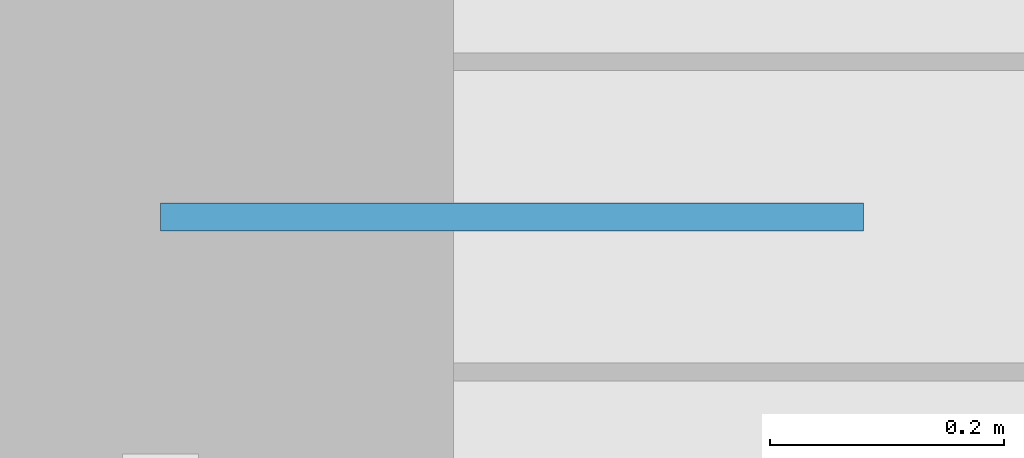
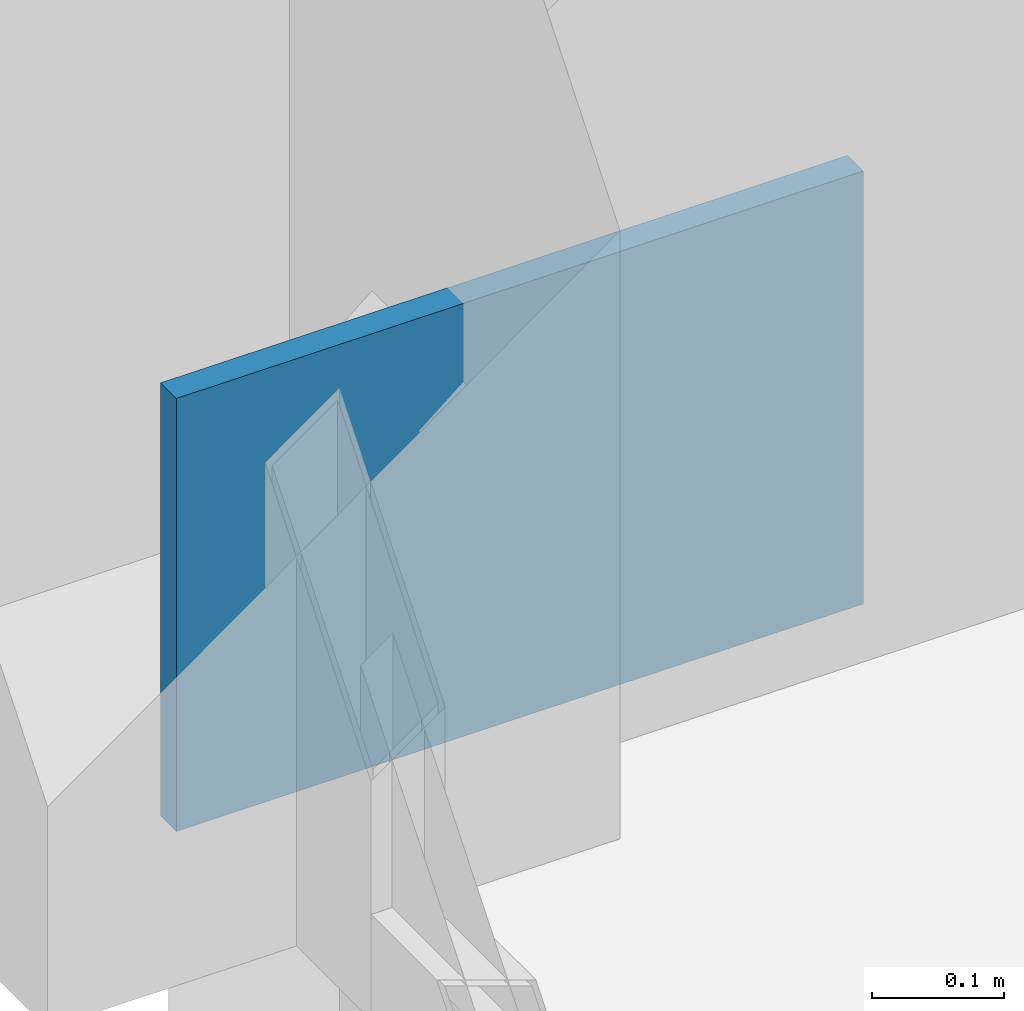
# One storey, part 153 of 188: 1 plate.
"""IFC4 building model written with IfcOpenShell, lengths in metres."""

from ifc_helpers import new_model, si_unit, direction, frame, origin, origin_2d, place, context, subcontext, project, spatial, rectangle, extrude, material, layer, layer_set, type_object, element, save


model = new_model("IFC4")

# Units and contexts
model_context = context("Model", 3, precision=1e-05, world=origin(), true_north=direction((0.0, 1.0)))
body_context = subcontext(model_context, "Body", "Model", "MODEL_VIEW")
ifc_project = project(units=[si_unit("LENGTHUNIT", "METRE"), si_unit("AREAUNIT", "SQUARE_METRE"), si_unit("VOLUMEUNIT", "CUBIC_METRE"), si_unit("PLANEANGLEUNIT", "RADIAN"), si_unit("MASSUNIT", "GRAM", prefix="KILO")], contexts=[model_context])

# Site, building, storey
site_placement = place(None, origin())
site = spatial("IfcSite", under=ifc_project, at=site_placement, CompositionType="ELEMENT")
building_placement = place(site_placement, origin())
building = spatial("IfcBuilding", under=site, at=building_placement, Name="Pandanus Reach Market Hall", CompositionType="ELEMENT")
storey_placement = place(building_placement, origin())
storey = spatial("IfcBuildingStorey", under=building, at=storey_placement, Name="L00", CompositionType="ELEMENT", Elevation=0.0)

# Plate
ifc_material = material(Name="Steel Grade 350 (350 MPa)", Category="steel")
ifc_layer = layer(ifc_material, 0.02392578125, Name="GS-PL24")
ifc_layer_set = layer_set([ifc_layer], Name="Steel Grade 350 (350 MPa)")
plate_type = type_object("IfcPlateType", Name="GS-PL24", PredefinedType="SHEET", material=ifc_layer_set)
plate_placement = place(storey_placement, frame((60.300048828125, 120.0, -0.050048828125), z_axis=(0.0, 0.0, 1.0), x_axis=(1.0, 0.0, 0.0)))
element("IfcPlate", 1, at=plate_placement, inside=storey, type_object=plate_type, Name="Brace gusset plate GS-PL24 5L", PredefinedType="SHEET", context=body_context, shape_type="SweptSolid", body=[
    extrude(rectangle(XDim=0.60009765625, YDim=0.02392578125, at=origin_2d()), origin(), (0.0, 0.0, 1.0), 0.39990234375),
])

save(model, "model.ifc")
